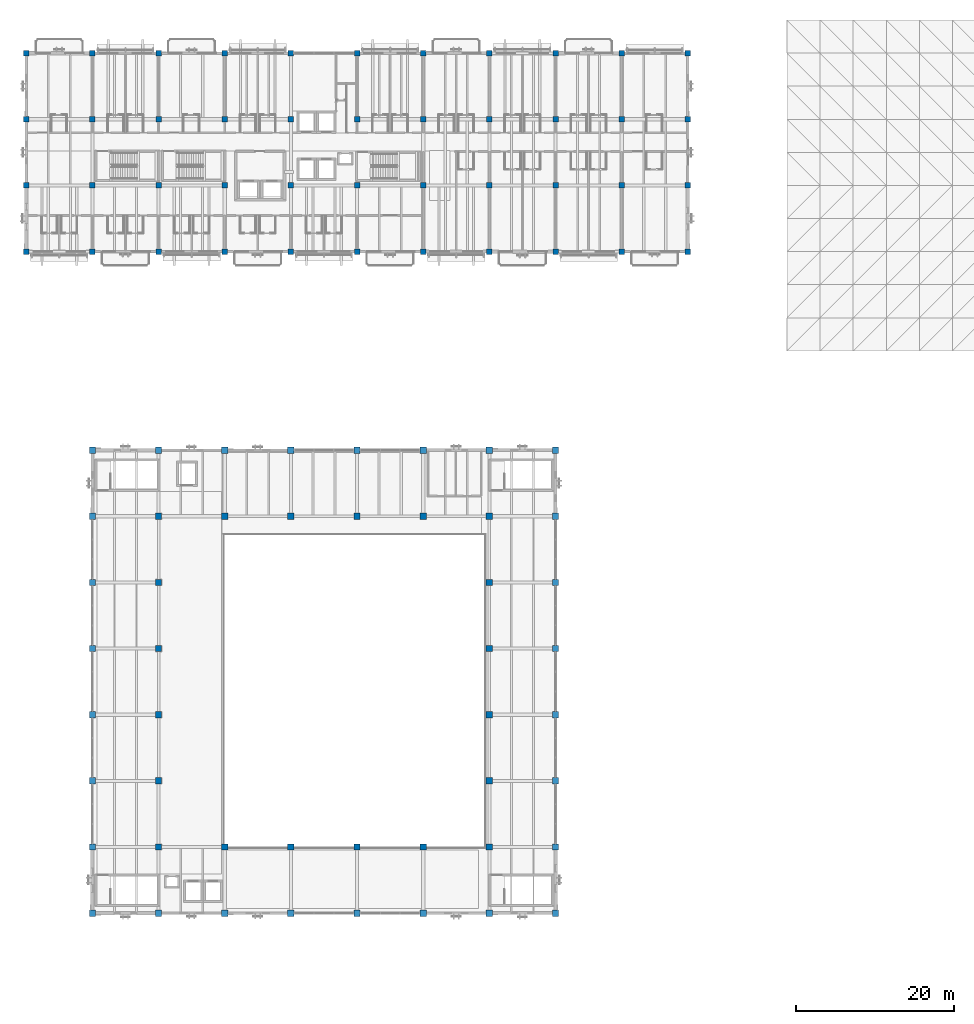
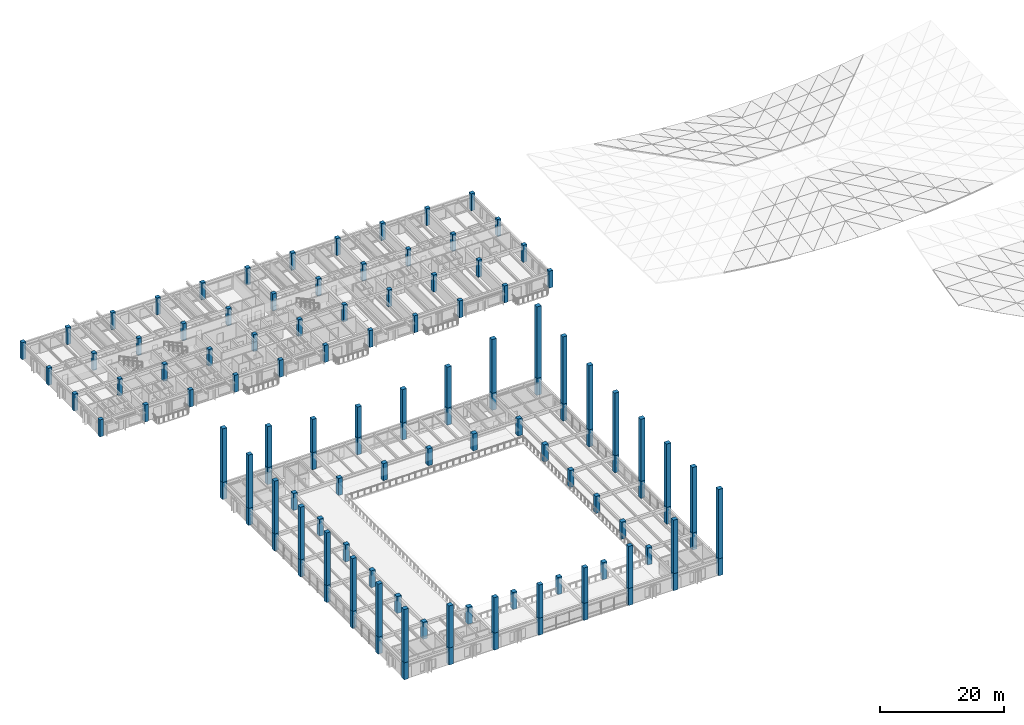
# One storey, part 1 of 64: 120 columns.
"""IFC4 building model written with IfcOpenShell, lengths in metres."""

from ifc_helpers import new_model, si_unit, direction, frame, origin, origin_2d, place, context, subcontext, project, spatial, rectangle, extrude, material, material_profile, profile_set, type_object, element, save


model = new_model("IFC4")

# Units and contexts
model_context = context("Model", 3, precision=1e-05, world=origin(), true_north=direction((0.0, 1.0)))
body_context = subcontext(model_context, "Body", "Model", "MODEL_VIEW")
ifc_project = project(units=[si_unit("LENGTHUNIT", "METRE"), si_unit("AREAUNIT", "SQUARE_METRE"), si_unit("VOLUMEUNIT", "CUBIC_METRE"), si_unit("PLANEANGLEUNIT", "RADIAN"), si_unit("MASSUNIT", "GRAM", prefix="KILO")], contexts=[model_context])

# Site, building, storey
site_placement = place(None, origin())
site = spatial("IfcSite", under=ifc_project, at=site_placement, CompositionType="ELEMENT")
building_placement = place(site_placement, origin())
building = spatial("IfcBuilding", under=site, at=building_placement, Name="Cumbredor Promenade Congress Hotel", CompositionType="ELEMENT")
storey_placement = place(building_placement, frame((0.0, 0.0, 18.47998046875)))
storey = spatial("IfcBuildingStorey", under=building, at=storey_placement, Name="L05", CompositionType="ELEMENT", Elevation=18.47998046875)

# Columns
ifc_material_1 = material(Name="Concrete C40/50", Category="concrete")
ifc_material_profile_1 = material_profile(ifc_material_1, rectangle(XDim=0.699951171875, YDim=0.699951171875, at=origin_2d()), Name="RC 700x700")
ifc_profile_set_1 = profile_set([ifc_material_profile_1], Name="Concrete C40/50")
column_type_1 = type_object("IfcColumnType", Name="COL-RC-700", PredefinedType="COLUMN", material=ifc_profile_set_1)
for number, where, z_axis, x_axis, name in (
    (1, (0.0, 92.39990234375, 0.0), (0.0, 0.0, 1.0), (1.0, 0.0, 0.0), "L05 Structural Column 001"),
    (2, (0.0, 100.800048828125, 0.0), (0.0, 0.0, 1.0), (1.0, 0.0, 0.0), "L05 Structural Column 002"),
    (3, (0.0, 109.199951171875, 0.0), (0.0, 0.0, 1.0), (1.0, 0.0, 0.0), "L05 Structural Column 003"),
    (4, (0.0, 117.60009765625, 0.0), (0.0, 0.0, 1.0), (1.0, 0.0, 0.0), "L05 Structural Column 004"),
    (5, (8.39990234375, 92.39990234375, 0.0), (0.0, 0.0, 1.0), (1.0, 0.0, 0.0), "L05 Structural Column 013"),
    (6, (8.39990234375, 100.800048828125, 0.0), (0.0, 0.0, 1.0), (1.0, 0.0, 0.0), "L05 Structural Column 014"),
    (7, (8.39990234375, 109.199951171875, 0.0), (0.0, 0.0, 1.0), (1.0, 0.0, 0.0), "L05 Structural Column 015"),
    (8, (8.39990234375, 117.60009765625, 0.0), (0.0, 0.0, 1.0), (1.0, 0.0, 0.0), "L05 Structural Column 016"),
    (9, (16.800048828125, 92.39990234375, 0.0), (0.0, 0.0, 1.0), (1.0, 0.0, 0.0), "L05 Structural Column 025"),
    (10, (16.800048828125, 100.800048828125, 0.0), (0.0, 0.0, 1.0), (1.0, 0.0, 0.0), "L05 Structural Column 026"),
    (11, (16.800048828125, 109.199951171875, 0.0), (0.0, 0.0, 1.0), (1.0, 0.0, 0.0), "L05 Structural Column 027"),
    (12, (16.800048828125, 117.60009765625, 0.0), (0.0, 0.0, 1.0), (1.0, 0.0, 0.0), "L05 Structural Column 028"),
    (13, (25.199951171875, 92.39990234375, 0.0), (0.0, 0.0, 1.0), (1.0, 0.0, 0.0), "L05 Structural Column 033"),
    (14, (25.199951171875, 100.800048828125, 0.0), (0.0, 0.0, 1.0), (1.0, 0.0, 0.0), "L05 Structural Column 034"),
    (15, (25.199951171875, 109.199951171875, 0.0), (0.0, 0.0, 1.0), (1.0, 0.0, 0.0), "L05 Structural Column 035"),
    (16, (25.199951171875, 117.60009765625, 0.0), (0.0, 0.0, 1.0), (1.0, 0.0, 0.0), "L05 Structural Column 036"),
    (17, (33.60009765625, 92.39990234375, 0.0), (0.0, 0.0, 1.0), (1.0, 0.0, 0.0), "L05 Structural Column 041"),
    (18, (33.60009765625, 100.800048828125, 0.0), (0.0, 0.0, 1.0), (1.0, 0.0, 0.0), "L05 Structural Column 042"),
    (19, (33.60009765625, 109.199951171875, 0.0), (0.0, 0.0, 1.0), (1.0, 0.0, 0.0), "L05 Structural Column 043"),
    (20, (33.60009765625, 117.60009765625, 0.0), (0.0, 0.0, 1.0), (1.0, 0.0, 0.0), "L05 Structural Column 044"),
    (21, (42.0, 92.39990234375, 0.0), (0.0, 0.0, 1.0), (1.0, 0.0, 0.0), "L05 Structural Column 049"),
    (22, (42.0, 100.800048828125, 0.0), (0.0, 0.0, 1.0), (1.0, 0.0, 0.0), "L05 Structural Column 050"),
    (23, (42.0, 109.199951171875, 0.0), (0.0, 0.0, 1.0), (1.0, 0.0, 0.0), "L05 Structural Column 051"),
    (24, (42.0, 117.60009765625, 0.0), (0.0, 0.0, 1.0), (1.0, 0.0, 0.0), "L05 Structural Column 052"),
    (25, (50.39990234375, 92.39990234375, 0.0), (0.0, 0.0, 1.0), (1.0, 0.0, 0.0), "L05 Structural Column 057"),
    (26, (50.39990234375, 100.800048828125, 0.0), (0.0, 0.0, 1.0), (1.0, 0.0, 0.0), "L05 Structural Column 058"),
    (27, (50.39990234375, 109.199951171875, 0.0), (0.0, 0.0, 1.0), (1.0, 0.0, 0.0), "L05 Structural Column 059"),
    (28, (50.39990234375, 117.60009765625, 0.0), (0.0, 0.0, 1.0), (1.0, 0.0, 0.0), "L05 Structural Column 060"),
    (29, (58.800048828125, 92.39990234375, 0.0), (0.0, 0.0, 1.0), (1.0, 0.0, 0.0), "L05 Structural Column 069"),
    (30, (58.800048828125, 100.800048828125, 0.0), (0.0, 0.0, 1.0), (1.0, 0.0, 0.0), "L05 Structural Column 070"),
    (31, (58.800048828125, 109.199951171875, 0.0), (0.0, 0.0, 1.0), (1.0, 0.0, 0.0), "L05 Structural Column 071"),
    (32, (58.800048828125, 117.60009765625, 0.0), (0.0, 0.0, 1.0), (1.0, 0.0, 0.0), "L05 Structural Column 072"),
    (33, (67.199951171875, 92.39990234375, 0.0), (0.0, 0.0, 1.0), (1.0, 0.0, 0.0), "L05 Structural Column 081"),
    (34, (67.199951171875, 100.800048828125, 0.0), (0.0, 0.0, 1.0), (1.0, 0.0, 0.0), "L05 Structural Column 082"),
    (35, (67.199951171875, 109.199951171875, 0.0), (0.0, 0.0, 1.0), (1.0, 0.0, 0.0), "L05 Structural Column 083"),
    (36, (67.199951171875, 117.60009765625, 0.0), (0.0, 0.0, 1.0), (1.0, 0.0, 0.0), "L05 Structural Column 084"),
    (37, (75.60009765625, 92.39990234375, 0.0), (0.0, 0.0, 1.0), (1.0, 0.0, 0.0), "L05 Structural Column 085"),
    (38, (75.60009765625, 100.800048828125, 0.0), (0.0, 0.0, 1.0), (1.0, 0.0, 0.0), "L05 Structural Column 086"),
    (39, (75.60009765625, 109.199951171875, 0.0), (0.0, 0.0, 1.0), (1.0, 0.0, 0.0), "L05 Structural Column 087"),
    (40, (75.60009765625, 117.60009765625, 0.0), (0.0, 0.0, 1.0), (1.0, 0.0, 0.0), "L05 Structural Column 088"),
    (41, (84.0, 92.39990234375, 0.0), (0.0, 0.0, 1.0), (1.0, 0.0, 0.0), "L05 Structural Column 089"),
    (42, (84.0, 100.800048828125, 0.0), (0.0, 0.0, 1.0), (1.0, 0.0, 0.0), "L05 Structural Column 090"),
    (43, (84.0, 109.199951171875, 0.0), (0.0, 0.0, 1.0), (1.0, 0.0, 0.0), "L05 Structural Column 091"),
    (44, (84.0, 117.60009765625, 0.0), (0.0, 0.0, 1.0), (1.0, 0.0, 0.0), "L05 Structural Column 092"),
):
    element("IfcColumn", number, at=place(storey_placement, frame(where, z_axis=z_axis, x_axis=x_axis)), inside=storey, type_object=column_type_1, Name=name, PredefinedType="COLUMN", context=body_context, shape_type="SweptSolid", body=[
        extrude(rectangle(XDim=0.699951171875, YDim=0.699951171875, at=origin_2d()), origin(), (0.0, 0.0, 1.0), 3.360107421875),
    ])
ifc_material_2 = material(Name="Concrete C50/60", Category="concrete")
ifc_material_profile_2 = material_profile(ifc_material_2, rectangle(XDim=0.800048828125, YDim=0.800048828125, at=origin_2d()), Name="RC 800x800")
ifc_profile_set_2 = profile_set([ifc_material_profile_2], Name="Concrete C50/60")
column_type_2 = type_object("IfcColumnType", Name="COL-RC-800", PredefinedType="COLUMN", material=ifc_profile_set_2)
for number, where, z_axis, x_axis, name in (
    (45, (8.39990234375, 8.39990234375, 0.0), (0.0, 0.0, 1.0), (1.0, 0.0, 0.0), "L05 Structural Column 005"),
    (46, (8.39990234375, 16.800048828125, 0.0), (0.0, 0.0, 1.0), (1.0, 0.0, 0.0), "L05 Structural Column 006"),
    (47, (8.39990234375, 25.199951171875, 0.0), (0.0, 0.0, 1.0), (1.0, 0.0, 0.0), "L05 Structural Column 007"),
    (48, (8.39990234375, 33.60009765625, 0.0), (0.0, 0.0, 1.0), (1.0, 0.0, 0.0), "L05 Structural Column 008"),
    (49, (8.39990234375, 42.0, 0.0), (0.0, 0.0, 1.0), (1.0, 0.0, 0.0), "L05 Structural Column 009"),
    (50, (8.39990234375, 50.39990234375, 0.0), (0.0, 0.0, 1.0), (1.0, 0.0, 0.0), "L05 Structural Column 010"),
    (51, (8.39990234375, 58.800048828125, 0.0), (0.0, 0.0, 1.0), (1.0, 0.0, 0.0), "L05 Structural Column 011"),
    (52, (8.39990234375, 67.199951171875, 0.0), (0.0, 0.0, 1.0), (1.0, 0.0, 0.0), "L05 Structural Column 012"),
    (53, (16.800048828125, 8.39990234375, 0.0), (0.0, 0.0, 1.0), (1.0, 0.0, 0.0), "L05 Structural Column 017"),
    (54, (16.800048828125, 16.800048828125, 0.0), (0.0, 0.0, 1.0), (1.0, 0.0, 0.0), "L05 Structural Column 018"),
    (55, (16.800048828125, 25.199951171875, 0.0), (0.0, 0.0, 1.0), (1.0, 0.0, 0.0), "L05 Structural Column 019"),
    (56, (16.800048828125, 33.60009765625, 0.0), (0.0, 0.0, 1.0), (1.0, 0.0, 0.0), "L05 Structural Column 020"),
    (57, (16.800048828125, 42.0, 0.0), (0.0, 0.0, 1.0), (1.0, 0.0, 0.0), "L05 Structural Column 021"),
    (58, (16.800048828125, 50.39990234375, 0.0), (0.0, 0.0, 1.0), (1.0, 0.0, 0.0), "L05 Structural Column 022"),
    (59, (16.800048828125, 58.800048828125, 0.0), (0.0, 0.0, 1.0), (1.0, 0.0, 0.0), "L05 Structural Column 023"),
    (60, (16.800048828125, 67.199951171875, 0.0), (0.0, 0.0, 1.0), (1.0, 0.0, 0.0), "L05 Structural Column 024"),
    (61, (25.199951171875, 8.39990234375, 0.0), (0.0, 0.0, 1.0), (1.0, 0.0, 0.0), "L05 Structural Column 029"),
    (62, (25.199951171875, 16.800048828125, 0.0), (0.0, 0.0, 1.0), (1.0, 0.0, 0.0), "L05 Structural Column 030"),
    (63, (25.199951171875, 58.800048828125, 0.0), (0.0, 0.0, 1.0), (1.0, 0.0, 0.0), "L05 Structural Column 031"),
    (64, (25.199951171875, 67.199951171875, 0.0), (0.0, 0.0, 1.0), (1.0, 0.0, 0.0), "L05 Structural Column 032"),
    (65, (33.60009765625, 8.39990234375, 0.0), (0.0, 0.0, 1.0), (1.0, 0.0, 0.0), "L05 Structural Column 037"),
    (66, (33.60009765625, 16.800048828125, 0.0), (0.0, 0.0, 1.0), (1.0, 0.0, 0.0), "L05 Structural Column 038"),
    (67, (33.60009765625, 58.800048828125, 0.0), (0.0, 0.0, 1.0), (1.0, 0.0, 0.0), "L05 Structural Column 039"),
    (68, (33.60009765625, 67.199951171875, 0.0), (0.0, 0.0, 1.0), (1.0, 0.0, 0.0), "L05 Structural Column 040"),
    (69, (42.0, 8.39990234375, 0.0), (0.0, 0.0, 1.0), (1.0, 0.0, 0.0), "L05 Structural Column 045"),
    (70, (42.0, 16.800048828125, 0.0), (0.0, 0.0, 1.0), (1.0, 0.0, 0.0), "L05 Structural Column 046"),
    (71, (42.0, 58.800048828125, 0.0), (0.0, 0.0, 1.0), (1.0, 0.0, 0.0), "L05 Structural Column 047"),
    (72, (42.0, 67.199951171875, 0.0), (0.0, 0.0, 1.0), (1.0, 0.0, 0.0), "L05 Structural Column 048"),
    (73, (50.39990234375, 8.39990234375, 0.0), (0.0, 0.0, 1.0), (1.0, 0.0, 0.0), "L05 Structural Column 053"),
    (74, (50.39990234375, 16.800048828125, 0.0), (0.0, 0.0, 1.0), (1.0, 0.0, 0.0), "L05 Structural Column 054"),
    (75, (50.39990234375, 58.800048828125, 0.0), (0.0, 0.0, 1.0), (1.0, 0.0, 0.0), "L05 Structural Column 055"),
    (76, (50.39990234375, 67.199951171875, 0.0), (0.0, 0.0, 1.0), (1.0, 0.0, 0.0), "L05 Structural Column 056"),
    (77, (58.800048828125, 8.39990234375, 0.0), (0.0, 0.0, 1.0), (1.0, 0.0, 0.0), "L05 Structural Column 061"),
    (78, (58.800048828125, 16.800048828125, 0.0), (0.0, 0.0, 1.0), (1.0, 0.0, 0.0), "L05 Structural Column 062"),
    (79, (58.800048828125, 25.199951171875, 0.0), (0.0, 0.0, 1.0), (1.0, 0.0, 0.0), "L05 Structural Column 063"),
    (80, (58.800048828125, 33.60009765625, 0.0), (0.0, 0.0, 1.0), (1.0, 0.0, 0.0), "L05 Structural Column 064"),
    (81, (58.800048828125, 42.0, 0.0), (0.0, 0.0, 1.0), (1.0, 0.0, 0.0), "L05 Structural Column 065"),
    (82, (58.800048828125, 50.39990234375, 0.0), (0.0, 0.0, 1.0), (1.0, 0.0, 0.0), "L05 Structural Column 066"),
    (83, (58.800048828125, 58.800048828125, 0.0), (0.0, 0.0, 1.0), (1.0, 0.0, 0.0), "L05 Structural Column 067"),
    (84, (58.800048828125, 67.199951171875, 0.0), (0.0, 0.0, 1.0), (1.0, 0.0, 0.0), "L05 Structural Column 068"),
    (85, (67.199951171875, 8.39990234375, 0.0), (0.0, 0.0, 1.0), (1.0, 0.0, 0.0), "L05 Structural Column 073"),
    (86, (67.199951171875, 16.800048828125, 0.0), (0.0, 0.0, 1.0), (1.0, 0.0, 0.0), "L05 Structural Column 074"),
    (87, (67.199951171875, 25.199951171875, 0.0), (0.0, 0.0, 1.0), (1.0, 0.0, 0.0), "L05 Structural Column 075"),
    (88, (67.199951171875, 33.60009765625, 0.0), (0.0, 0.0, 1.0), (1.0, 0.0, 0.0), "L05 Structural Column 076"),
    (89, (67.199951171875, 42.0, 0.0), (0.0, 0.0, 1.0), (1.0, 0.0, 0.0), "L05 Structural Column 077"),
    (90, (67.199951171875, 50.39990234375, 0.0), (0.0, 0.0, 1.0), (1.0, 0.0, 0.0), "L05 Structural Column 078"),
    (91, (67.199951171875, 58.800048828125, 0.0), (0.0, 0.0, 1.0), (1.0, 0.0, 0.0), "L05 Structural Column 079"),
    (92, (67.199951171875, 67.199951171875, 0.0), (0.0, 0.0, 1.0), (1.0, 0.0, 0.0), "L05 Structural Column 080"),
):
    element("IfcColumn", number, at=place(storey_placement, frame(where, z_axis=z_axis, x_axis=x_axis)), inside=storey, type_object=column_type_2, Name=name, PredefinedType="COLUMN", context=body_context, shape_type="SweptSolid", body=[
        extrude(rectangle(XDim=0.800048828125, YDim=0.800048828125, at=origin_2d()), origin(), (0.0, 0.0, 1.0), 3.360107421875),
    ])
column_1_placement = place(storey_placement, frame((8.39990234375, 8.39990234375, 3.360107421875), z_axis=(0.0, 0.0, 1.0), x_axis=(1.0, 0.0, 0.0)))
element("IfcColumn", 93, at=column_1_placement, inside=storey, type_object=column_type_2, Name="Plenary Congress Hall Clerestory Column Extension 01", PredefinedType="COLUMN", context=body_context, shape_type="SweptSolid", body=[
    extrude(rectangle(XDim=0.800048828125, YDim=0.800048828125, at=origin_2d()), origin(), (0.0, 0.0, 1.0), 10.56787109375),
])
column_2_placement = place(storey_placement, frame((8.39990234375, 16.800048828125, 3.360107421875), z_axis=(0.0, 0.0, 1.0), x_axis=(1.0, 0.0, 0.0)))
element("IfcColumn", 94, at=column_2_placement, inside=storey, type_object=column_type_2, Name="Plenary Congress Hall Clerestory Column Extension 02", PredefinedType="COLUMN", context=body_context, shape_type="SweptSolid", body=[
    extrude(rectangle(XDim=0.800048828125, YDim=0.800048828125, at=origin_2d()), origin(), (0.0, 0.0, 1.0), 10.47998046875),
])
column_3_placement = place(storey_placement, frame((8.39990234375, 25.199951171875, 3.360107421875), z_axis=(0.0, 0.0, 1.0), x_axis=(1.0, 0.0, 0.0)))
element("IfcColumn", 95, at=column_3_placement, inside=storey, type_object=column_type_2, Name="Plenary Congress Hall Clerestory Column Extension 03", PredefinedType="COLUMN", context=body_context, shape_type="SweptSolid", body=[
    extrude(rectangle(XDim=0.800048828125, YDim=0.800048828125, at=origin_2d()), origin(), (0.0, 0.0, 1.0), 10.423828125),
])
column_4_placement = place(storey_placement, frame((8.39990234375, 33.60009765625, 3.360107421875), z_axis=(0.0, 0.0, 1.0), x_axis=(1.0, 0.0, 0.0)))
element("IfcColumn", 96, at=column_4_placement, inside=storey, type_object=column_type_2, Name="Plenary Congress Hall Clerestory Column Extension 04", PredefinedType="COLUMN", context=body_context, shape_type="SweptSolid", body=[
    extrude(rectangle(XDim=0.800048828125, YDim=0.800048828125, at=origin_2d()), origin(), (0.0, 0.0, 1.0), 10.399658203125),
])
column_5_placement = place(storey_placement, frame((8.39990234375, 42.0, 3.360107421875), z_axis=(0.0, 0.0, 1.0), x_axis=(1.0, 0.0, 0.0)))
element("IfcColumn", 97, at=column_5_placement, inside=storey, type_object=column_type_2, Name="Plenary Congress Hall Clerestory Column Extension 05", PredefinedType="COLUMN", context=body_context, shape_type="SweptSolid", body=[
    extrude(rectangle(XDim=0.800048828125, YDim=0.800048828125, at=origin_2d()), origin(), (0.0, 0.0, 1.0), 10.40771484375),
])
column_6_placement = place(storey_placement, frame((8.39990234375, 50.39990234375, 3.360107421875), z_axis=(0.0, 0.0, 1.0), x_axis=(1.0, 0.0, 0.0)))
element("IfcColumn", 98, at=column_6_placement, inside=storey, type_object=column_type_2, Name="Plenary Congress Hall Clerestory Column Extension 06", PredefinedType="COLUMN", context=body_context, shape_type="SweptSolid", body=[
    extrude(rectangle(XDim=0.800048828125, YDim=0.800048828125, at=origin_2d()), origin(), (0.0, 0.0, 1.0), 10.447998046875),
])
column_7_placement = place(storey_placement, frame((8.39990234375, 58.800048828125, 3.360107421875), z_axis=(0.0, 0.0, 1.0), x_axis=(1.0, 0.0, 0.0)))
element("IfcColumn", 99, at=column_7_placement, inside=storey, type_object=column_type_2, Name="Plenary Congress Hall Clerestory Column Extension 07", PredefinedType="COLUMN", context=body_context, shape_type="SweptSolid", body=[
    extrude(rectangle(XDim=0.800048828125, YDim=0.800048828125, at=origin_2d()), origin(), (0.0, 0.0, 1.0), 10.52001953125),
])
column_8_placement = place(storey_placement, frame((8.39990234375, 67.199951171875, 3.360107421875), z_axis=(0.0, 0.0, 1.0), x_axis=(1.0, 0.0, 0.0)))
element("IfcColumn", 100, at=column_8_placement, inside=storey, type_object=column_type_2, Name="Plenary Congress Hall Clerestory Column Extension 08", PredefinedType="COLUMN", context=body_context, shape_type="SweptSolid", body=[
    extrude(rectangle(XDim=0.800048828125, YDim=0.800048828125, at=origin_2d()), origin(), (0.0, 0.0, 1.0), 10.623291015625),
])
column_9_placement = place(storey_placement, frame((16.800048828125, 8.39990234375, 3.360107421875), z_axis=(0.0, 0.0, 1.0), x_axis=(1.0, 0.0, 0.0)))
element("IfcColumn", 101, at=column_9_placement, inside=storey, type_object=column_type_2, Name="Plenary Congress Hall Clerestory Column Extension 09", PredefinedType="COLUMN", context=body_context, shape_type="SweptSolid", body=[
    extrude(rectangle(XDim=0.800048828125, YDim=0.800048828125, at=origin_2d()), origin(), (0.0, 0.0, 1.0), 8.338134765625),
])
column_10_placement = place(storey_placement, frame((16.800048828125, 67.199951171875, 3.360107421875), z_axis=(0.0, 0.0, 1.0), x_axis=(1.0, 0.0, 0.0)))
element("IfcColumn", 102, at=column_10_placement, inside=storey, type_object=column_type_2, Name="Plenary Congress Hall Clerestory Column Extension 10", PredefinedType="COLUMN", context=body_context, shape_type="SweptSolid", body=[
    extrude(rectangle(XDim=0.800048828125, YDim=0.800048828125, at=origin_2d()), origin(), (0.0, 0.0, 1.0), 8.10400390625),
])
column_11_placement = place(storey_placement, frame((25.199951171875, 8.39990234375, 3.360107421875), z_axis=(0.0, 0.0, 1.0), x_axis=(1.0, 0.0, 0.0)))
element("IfcColumn", 103, at=column_11_placement, inside=storey, type_object=column_type_2, Name="Plenary Congress Hall Clerestory Column Extension 11", PredefinedType="COLUMN", context=body_context, shape_type="SweptSolid", body=[
    extrude(rectangle(XDim=0.800048828125, YDim=0.800048828125, at=origin_2d()), origin(), (0.0, 0.0, 1.0), 7.000244140625),
])
column_12_placement = place(storey_placement, frame((25.199951171875, 67.199951171875, 3.360107421875), z_axis=(0.0, 0.0, 1.0), x_axis=(1.0, 0.0, 0.0)))
element("IfcColumn", 104, at=column_12_placement, inside=storey, type_object=column_type_2, Name="Plenary Congress Hall Clerestory Column Extension 12", PredefinedType="COLUMN", context=body_context, shape_type="SweptSolid", body=[
    extrude(rectangle(XDim=0.800048828125, YDim=0.800048828125, at=origin_2d()), origin(), (0.0, 0.0, 1.0), 6.592529296875),
])
column_13_placement = place(storey_placement, frame((33.60009765625, 8.39990234375, 3.360107421875), z_axis=(0.0, 0.0, 1.0), x_axis=(1.0, 0.0, 0.0)))
element("IfcColumn", 105, at=column_13_placement, inside=storey, type_object=column_type_2, Name="Plenary Congress Hall Clerestory Column Extension 13", PredefinedType="COLUMN", context=body_context, shape_type="SweptSolid", body=[
    extrude(rectangle(XDim=0.800048828125, YDim=0.800048828125, at=origin_2d()), origin(), (0.0, 0.0, 1.0), 6.554931640625),
])
column_14_placement = place(storey_placement, frame((33.60009765625, 67.199951171875, 3.360107421875), z_axis=(0.0, 0.0, 1.0), x_axis=(1.0, 0.0, 0.0)))
element("IfcColumn", 106, at=column_14_placement, inside=storey, type_object=column_type_2, Name="Plenary Congress Hall Clerestory Column Extension 14", PredefinedType="COLUMN", context=body_context, shape_type="SweptSolid", body=[
    extrude(rectangle(XDim=0.800048828125, YDim=0.800048828125, at=origin_2d()), origin(), (0.0, 0.0, 1.0), 6.08935546875),
])
column_15_placement = place(storey_placement, frame((42.0, 8.39990234375, 3.360107421875), z_axis=(0.0, 0.0, 1.0), x_axis=(1.0, 0.0, 0.0)))
element("IfcColumn", 107, at=column_15_placement, inside=storey, type_object=column_type_2, Name="Plenary Congress Hall Clerestory Column Extension 15", PredefinedType="COLUMN", context=body_context, shape_type="SweptSolid", body=[
    extrude(rectangle(XDim=0.800048828125, YDim=0.800048828125, at=origin_2d()), origin(), (0.0, 0.0, 1.0), 7.000244140625),
])
column_16_placement = place(storey_placement, frame((42.0, 67.199951171875, 3.360107421875), z_axis=(0.0, 0.0, 1.0), x_axis=(1.0, 0.0, 0.0)))
element("IfcColumn", 108, at=column_16_placement, inside=storey, type_object=column_type_2, Name="Plenary Congress Hall Clerestory Column Extension 16", PredefinedType="COLUMN", context=body_context, shape_type="SweptSolid", body=[
    extrude(rectangle(XDim=0.800048828125, YDim=0.800048828125, at=origin_2d()), origin(), (0.0, 0.0, 1.0), 6.592529296875),
])
column_17_placement = place(storey_placement, frame((50.39990234375, 8.39990234375, 3.360107421875), z_axis=(0.0, 0.0, 1.0), x_axis=(1.0, 0.0, 0.0)))
element("IfcColumn", 109, at=column_17_placement, inside=storey, type_object=column_type_2, Name="Plenary Congress Hall Clerestory Column Extension 17", PredefinedType="COLUMN", context=body_context, shape_type="SweptSolid", body=[
    extrude(rectangle(XDim=0.800048828125, YDim=0.800048828125, at=origin_2d()), origin(), (0.0, 0.0, 1.0), 8.338134765625),
])
column_18_placement = place(storey_placement, frame((50.39990234375, 67.199951171875, 3.360107421875), z_axis=(0.0, 0.0, 1.0), x_axis=(1.0, 0.0, 0.0)))
element("IfcColumn", 110, at=column_18_placement, inside=storey, type_object=column_type_2, Name="Plenary Congress Hall Clerestory Column Extension 18", PredefinedType="COLUMN", context=body_context, shape_type="SweptSolid", body=[
    extrude(rectangle(XDim=0.800048828125, YDim=0.800048828125, at=origin_2d()), origin(), (0.0, 0.0, 1.0), 8.10400390625),
])
column_19_placement = place(storey_placement, frame((58.800048828125, 8.39990234375, 3.360107421875), z_axis=(0.0, 0.0, 1.0), x_axis=(1.0, 0.0, 0.0)))
element("IfcColumn", 111, at=column_19_placement, inside=storey, type_object=column_type_2, Name="Plenary Congress Hall Clerestory Column Extension 19", PredefinedType="COLUMN", context=body_context, shape_type="SweptSolid", body=[
    extrude(rectangle(XDim=0.800048828125, YDim=0.800048828125, at=origin_2d()), origin(), (0.0, 0.0, 1.0), 10.56787109375),
])
column_20_placement = place(storey_placement, frame((58.800048828125, 67.199951171875, 3.360107421875), z_axis=(0.0, 0.0, 1.0), x_axis=(1.0, 0.0, 0.0)))
element("IfcColumn", 112, at=column_20_placement, inside=storey, type_object=column_type_2, Name="Plenary Congress Hall Clerestory Column Extension 20", PredefinedType="COLUMN", context=body_context, shape_type="SweptSolid", body=[
    extrude(rectangle(XDim=0.800048828125, YDim=0.800048828125, at=origin_2d()), origin(), (0.0, 0.0, 1.0), 10.623291015625),
])
column_21_placement = place(storey_placement, frame((67.199951171875, 8.39990234375, 3.360107421875), z_axis=(0.0, 0.0, 1.0), x_axis=(1.0, 0.0, 0.0)))
element("IfcColumn", 113, at=column_21_placement, inside=storey, type_object=column_type_2, Name="Plenary Congress Hall Clerestory Column Extension 21", PredefinedType="COLUMN", context=body_context, shape_type="SweptSolid", body=[
    extrude(rectangle(XDim=0.800048828125, YDim=0.800048828125, at=origin_2d()), origin(), (0.0, 0.0, 1.0), 13.6884765625),
])
column_22_placement = place(storey_placement, frame((67.199951171875, 16.800048828125, 3.360107421875), z_axis=(0.0, 0.0, 1.0), x_axis=(1.0, 0.0, 0.0)))
element("IfcColumn", 114, at=column_22_placement, inside=storey, type_object=column_type_2, Name="Plenary Congress Hall Clerestory Column Extension 22", PredefinedType="COLUMN", context=body_context, shape_type="SweptSolid", body=[
    extrude(rectangle(XDim=0.800048828125, YDim=0.800048828125, at=origin_2d()), origin(), (0.0, 0.0, 1.0), 12.963623046875),
])
column_23_placement = place(storey_placement, frame((67.199951171875, 25.199951171875, 3.360107421875), z_axis=(0.0, 0.0, 1.0), x_axis=(1.0, 0.0, 0.0)))
element("IfcColumn", 115, at=column_23_placement, inside=storey, type_object=column_type_2, Name="Plenary Congress Hall Clerestory Column Extension 23", PredefinedType="COLUMN", context=body_context, shape_type="SweptSolid", body=[
    extrude(rectangle(XDim=0.800048828125, YDim=0.800048828125, at=origin_2d()), origin(), (0.0, 0.0, 1.0), 12.501708984375),
])
column_24_placement = place(storey_placement, frame((67.199951171875, 33.60009765625, 3.360107421875), z_axis=(0.0, 0.0, 1.0), x_axis=(1.0, 0.0, 0.0)))
element("IfcColumn", 116, at=column_24_placement, inside=storey, type_object=column_type_2, Name="Plenary Congress Hall Clerestory Column Extension 24", PredefinedType="COLUMN", context=body_context, shape_type="SweptSolid", body=[
    extrude(rectangle(XDim=0.800048828125, YDim=0.800048828125, at=origin_2d()), origin(), (0.0, 0.0, 1.0), 12.30419921875),
])
column_25_placement = place(storey_placement, frame((67.199951171875, 42.0, 3.360107421875), z_axis=(0.0, 0.0, 1.0), x_axis=(1.0, 0.0, 0.0)))
element("IfcColumn", 117, at=column_25_placement, inside=storey, type_object=column_type_2, Name="Plenary Congress Hall Clerestory Column Extension 25", PredefinedType="COLUMN", context=body_context, shape_type="SweptSolid", body=[
    extrude(rectangle(XDim=0.800048828125, YDim=0.800048828125, at=origin_2d()), origin(), (0.0, 0.0, 1.0), 12.36962890625),
])
column_26_placement = place(storey_placement, frame((67.199951171875, 50.39990234375, 3.360107421875), z_axis=(0.0, 0.0, 1.0), x_axis=(1.0, 0.0, 0.0)))
element("IfcColumn", 118, at=column_26_placement, inside=storey, type_object=column_type_2, Name="Plenary Congress Hall Clerestory Column Extension 26", PredefinedType="COLUMN", context=body_context, shape_type="SweptSolid", body=[
    extrude(rectangle(XDim=0.800048828125, YDim=0.800048828125, at=origin_2d()), origin(), (0.0, 0.0, 1.0), 12.69970703125),
])
column_27_placement = place(storey_placement, frame((67.199951171875, 58.800048828125, 3.360107421875), z_axis=(0.0, 0.0, 1.0), x_axis=(1.0, 0.0, 0.0)))
element("IfcColumn", 119, at=column_27_placement, inside=storey, type_object=column_type_2, Name="Plenary Congress Hall Clerestory Column Extension 27", PredefinedType="COLUMN", context=body_context, shape_type="SweptSolid", body=[
    extrude(rectangle(XDim=0.800048828125, YDim=0.800048828125, at=origin_2d()), origin(), (0.0, 0.0, 1.0), 13.293212890625),
])
column_28_placement = place(storey_placement, frame((67.199951171875, 67.199951171875, 3.360107421875), z_axis=(0.0, 0.0, 1.0), x_axis=(1.0, 0.0, 0.0)))
element("IfcColumn", 120, at=column_28_placement, inside=storey, type_object=column_type_2, Name="Plenary Congress Hall Clerestory Column Extension 28", PredefinedType="COLUMN", context=body_context, shape_type="SweptSolid", body=[
    extrude(rectangle(XDim=0.800048828125, YDim=0.800048828125, at=origin_2d()), origin(), (0.0, 0.0, 1.0), 14.14892578125),
])

save(model, "model.ifc")
